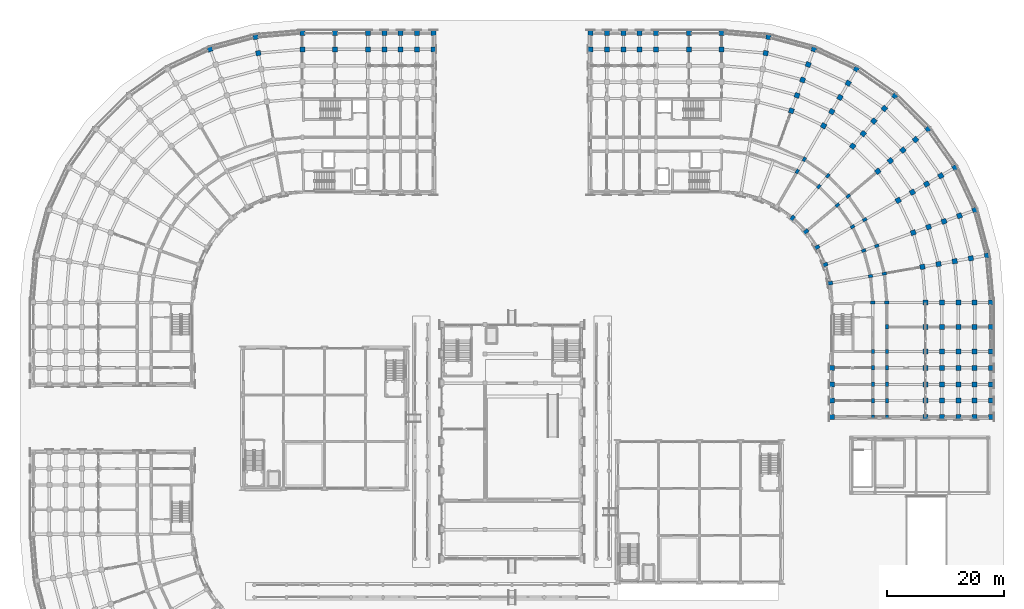
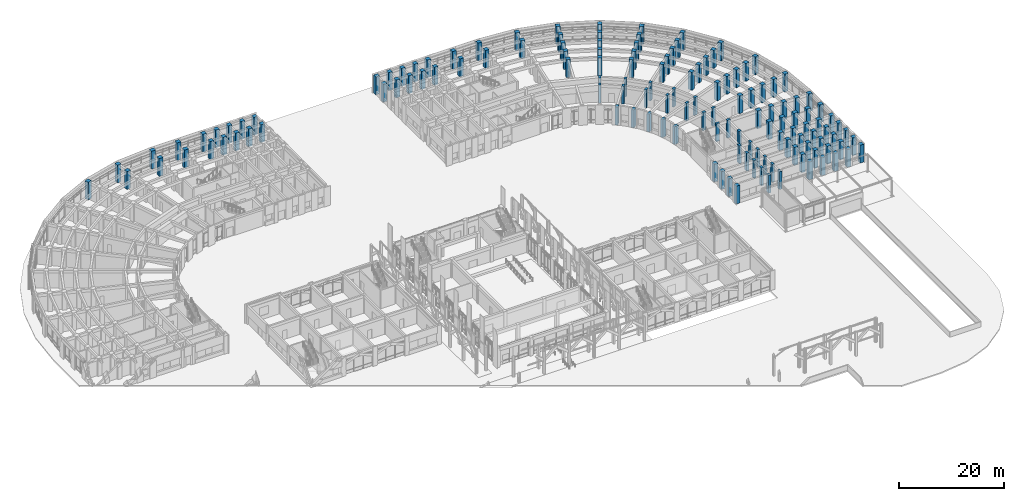
# One storey, part 12 of 135: 137 columns.
"""IFC4 building model written with IfcOpenShell, lengths in metres."""

import ifcopenshell
import ifcopenshell.guid

model = None  # the IFC model being written
_history = None  # IfcOwnerHistory: only IFC2X3 demands one
_inside = {}  # id of a spatial element -> (the spatial element, [elements in it])
_under = {}  # id of a project, library or spatial element -> (it, [spatial elements below it])
_declared = {}  # id of a project -> (the project, [libraries it declares])
_typed = {}  # id of a type object -> (the type object, [elements of that type])
_made_of = {}  # id of a material, layer set ... -> (it, [elements and type objects made of it])


def new_model(schema):
    """Start an empty IFC model of exactly this schema.

    Asked for "IFC4X3", IfcOpenShell would pick the latest addendum, in which some entities
    have other attributes; the version numbers below select the first issue.
    IFC2X3 requires an IfcOwnerHistory on every rooted entity: one is made here for all.
    """
    global model, _history
    if schema == "IFC4X3":
        model = ifcopenshell.file(schema_version=(4, 3, 0, 0))
    else:
        model = ifcopenshell.file(schema=schema)
    _inside.clear()
    _under.clear()
    _declared.clear()
    _typed.clear()
    _made_of.clear()
    _history = None
    if model.schema == "IFC2X3":
        org = make("IfcOrganization", Name="unknown")
        user = make(
            "IfcPersonAndOrganization",
            ThePerson=make("IfcPerson", FamilyName="unknown"),
            TheOrganization=org,
        )
        app = make(
            "IfcApplication",
            ApplicationDeveloper=org,
            Version="unknown",
            ApplicationFullName="unknown",
            ApplicationIdentifier="unknown",
        )
        _history = make(
            "IfcOwnerHistory",
            OwningUser=user,
            OwningApplication=app,
            ChangeAction="ADDED",
            CreationDate=0,
        )
    return model


def make(cls, **values):
    """One entity of the class cls with the attributes given. An attribute that is None is left unset."""
    return model.create_entity(
        cls, **{name: value for name, value in values.items() if value is not None}
    )


def rooted(cls, **values):
    """An entity with a GlobalId (a new one), such as an element, a storey or a relation."""
    return make(cls, GlobalId=ifcopenshell.guid.new(), OwnerHistory=_history, **values)


def si_unit(unit_type, name, prefix=None):
    """IfcSIUnit, for example si_unit("LENGTHUNIT", "METRE", prefix="MILLI")."""
    return make("IfcSIUnit", UnitType=unit_type, Prefix=prefix, Name=name)


def assignment(units):
    """IfcUnitAssignment: the units of a project."""
    return None if units is None else make("IfcUnitAssignment", Units=units)


def point(xyz):
    """IfcCartesianPoint."""
    return None if xyz is None else make("IfcCartesianPoint", Coordinates=xyz)


def direction(xyz):
    """IfcDirection."""
    return None if xyz is None else make("IfcDirection", DirectionRatios=xyz)


def frame(location, z_axis=None, x_axis=None):
    """IfcAxis2Placement3D, a coordinate frame: its origin and axes. An axis left out is left unset."""
    return make(
        "IfcAxis2Placement3D",
        Location=point(location),
        Axis=direction(z_axis),
        RefDirection=direction(x_axis),
    )


def frame_2d(location, x_axis=None):
    """IfcAxis2Placement2D, a coordinate frame in the plane: its origin and x axis."""
    return make(
        "IfcAxis2Placement2D", Location=point(location), RefDirection=direction(x_axis)
    )


def origin():
    """The frame at (0, 0, 0) with its axes left unset."""
    return frame((0.0, 0.0, 0.0))


def origin_2d():
    """The frame at (0, 0) in the plane with its x axis left unset."""
    return frame_2d((0.0, 0.0))


def place(relative_to, where):
    """IfcLocalPlacement: puts the frame where relative to a parent placement (None: the world)."""
    return make(
        "IfcLocalPlacement", PlacementRelTo=relative_to, RelativePlacement=where
    )


def context(
    kind, dimensions, precision=None, world=None, true_north=None, identifier=None
):
    """IfcGeometricRepresentationContext, for example the 3D "Model" context."""
    return make(
        "IfcGeometricRepresentationContext",
        ContextIdentifier=identifier,
        ContextType=kind,
        CoordinateSpaceDimension=dimensions,
        Precision=precision,
        WorldCoordinateSystem=world,
        TrueNorth=true_north,
    )


def subcontext(parent, identifier, kind, view, scale=None):
    """IfcGeometricRepresentationSubContext, for example "Body" below "Model"."""
    return make(
        "IfcGeometricRepresentationSubContext",
        ContextIdentifier=identifier,
        ContextType=kind,
        ParentContext=parent,
        TargetScale=scale,
        TargetView=view,
    )


def project(units=None, contexts=None):
    """IfcProject with its units and contexts."""
    return rooted(
        "IfcProject",
        Name="project",
        RepresentationContexts=contexts,
        UnitsInContext=assignment(units),
    )


def spatial(cls, under=None, at=None, **own):
    """A site, building, storey or space (cls), placed at a placement, below another one or the project."""
    s = rooted(cls, ObjectPlacement=at, **own)
    if under is not None:
        _under.setdefault(under.id(), (under, []))[1].append(s)
    return s


def profile(cls, at=None, kind="AREA", **sizes):
    """A parametric profile (cls). Its sizes go by their IFC names, for example OverallWidth=200.0."""
    return make(cls, ProfileType=kind, Position=at, **sizes)


def rectangle(**sizes):
    """IfcRectangleProfileDef."""
    return profile("IfcRectangleProfileDef", **sizes)


def extrude(swept, where, along, depth):
    """IfcExtrudedAreaSolid: the profile swept, set in the frame where, extruded along a direction by depth."""
    return make(
        "IfcExtrudedAreaSolid",
        SweptArea=swept,
        Position=where,
        ExtrudedDirection=direction(along),
        Depth=depth,
    )


def shape(context_of_items, identifier, shape_type, items):
    """IfcShapeRepresentation: the items that make up one representation, for example the "Body"."""
    return make(
        "IfcShapeRepresentation",
        ContextOfItems=context_of_items,
        RepresentationIdentifier=identifier,
        RepresentationType=shape_type,
        Items=items,
    )


def material(Name=None, Category=None):
    """IfcMaterial."""
    return make("IfcMaterial", Name=Name, Category=Category)


def material_profile(
    of_material, cross_section, Name=None, Category=None, Priority=None
):
    """IfcMaterialProfile: a cross section and its material."""
    return make(
        "IfcMaterialProfile",
        Name=Name,
        Material=of_material,
        Profile=cross_section,
        Priority=Priority,
        Category=Category,
    )


def profile_set(profiles, Name=None, composite=None):
    """IfcMaterialProfileSet."""
    return make(
        "IfcMaterialProfileSet",
        Name=Name,
        MaterialProfiles=profiles,
        CompositeProfile=composite,
    )


def made_of(thing, what):
    """Note that an element or type object is made of a material, layer set ...; save() writes the relation."""
    if what is not None:
        _made_of.setdefault(what.id(), (what, []))[1].append(thing)
    return thing


def type_object(cls, material=None, **own):
    """A type object (cls), such as IfcWallType, which elements share."""
    return made_of(rooted(cls, **own), material)


def element(
    cls,
    number,
    at=None,
    inside=None,
    cuts=None,
    type_object=None,
    material=None,
    context=None,
    identifier="Body",
    shape_type=None,
    held_by="IfcProductDefinitionShape",
    body=None,
    shapes=None,
    **own,
):
    """One element of the class cls, such as IfcWall. Its Tag is "e" and its number.

    at: its placement. inside: the storey or other place that contains it. cuts: it is an
    opening in that element (IfcRelVoidsElement). A single representation is given by context,
    identifier, shape_type and body (its items); several are given by shapes. held_by: the class
    of the entity that holds the representations. save() writes the other relations.
    """
    e = rooted(cls, Tag="e%d" % number, ObjectPlacement=at, **own)
    if body is not None:
        shapes = [shape(context, identifier, shape_type, body)]
    if shapes is not None:
        e.Representation = make(held_by, Representations=shapes)
    if inside is not None:
        _inside.setdefault(inside.id(), (inside, []))[1].append(e)
    if cuts is not None:
        rooted(
            "IfcRelVoidsElement", RelatingBuildingElement=cuts, RelatedOpeningElement=e
        )
    if type_object is not None:
        _typed.setdefault(type_object.id(), (type_object, []))[1].append(e)
    return made_of(e, material)


def aggregate(whole, parts):
    """IfcRelAggregates: a whole, such as a stair, and the parts it consists of."""
    return rooted("IfcRelAggregates", RelatingObject=whole, RelatedObjects=parts)


def save(model, path):
    """Write the relations noted so far, then the file.

    IfcRelAggregates (storeys below a building ...), IfcRelContainedInSpatialStructure (elements
    in a storey), IfcRelDefinesByType, IfcRelAssociatesMaterial and IfcRelDeclares: one each for
    every whole, place, type object, material and project.
    """
    for whole, parts in _under.values():
        aggregate(whole, parts)
    for where, things in _inside.values():
        rooted(
            "IfcRelContainedInSpatialStructure",
            RelatedElements=things,
            RelatingStructure=where,
        )
    for kind, things in _typed.values():
        rooted("IfcRelDefinesByType", RelatedObjects=things, RelatingType=kind)
    for what, things in _made_of.values():
        rooted("IfcRelAssociatesMaterial", RelatedObjects=things, RelatingMaterial=what)
    for by, libraries in _declared.values():
        rooted("IfcRelDeclares", RelatingContext=by, RelatedDefinitions=libraries)
    model.write(path)


model = new_model("IFC4")

# Units and contexts
model_context = context("Model", 3, precision=1e-05, world=origin(), true_north=direction((0.0, 1.0)))
body_context = subcontext(model_context, "Body", "Model", "MODEL_VIEW")
ifc_project = project(units=[si_unit("LENGTHUNIT", "METRE"), si_unit("AREAUNIT", "SQUARE_METRE"), si_unit("VOLUMEUNIT", "CUBIC_METRE"), si_unit("PLANEANGLEUNIT", "RADIAN"), si_unit("MASSUNIT", "GRAM", prefix="KILO")], contexts=[model_context])

# Site, building, storey
site_placement = place(None, origin())
site = spatial("IfcSite", under=ifc_project, at=site_placement, CompositionType="ELEMENT")
building_placement = place(site_placement, origin())
building = spatial("IfcBuilding", under=site, at=building_placement, Name="Kiranvali Square Residences", CompositionType="ELEMENT")
storey_placement = place(building_placement, origin())
storey = spatial("IfcBuildingStorey", under=building, at=storey_placement, Name="L00", CompositionType="ELEMENT", Elevation=0.0)

# Columns
ifc_material_1 = material(Name="Concrete M45 (45 MPa)", Category="concrete")
ifc_material_profile_1 = material_profile(ifc_material_1, rectangle(XDim=0.5, YDim=0.75, at=origin_2d()), Name="RC 750x500")
ifc_profile_set_1 = profile_set([ifc_material_profile_1], Name="Concrete M45 (45 MPa)")
column_type_1 = type_object("IfcColumnType", Name="COL-M45-750x500", PredefinedType="COLUMN", material=ifc_profile_set_1)
for number, where, z_axis, x_axis, name in (
    (1, (132.699951171875, 110.1435546875, 0.0), (0.0, 0.0, 1.0), (-0.866025403784, 0.5, 0.0), "Block B L00 radial column A03-R1"),
    (2, (133.89990234375, 112.221923828125, 0.0), (0.0, 0.0, 1.0), (-0.866025403784, 0.5, 0.0), "Block B L00 radial column A03-R2"),
    (3, (136.384033203125, 107.56396484375, 0.0), (0.0, 0.0, 1.0), (-0.766044443119, 0.642787609687, 0.0), "Block B L00 radial column A04-R1"),
    (4, (137.926513671875, 109.40234375, 0.0), (0.0, 0.0, 1.0), (-0.766044443119, 0.642787609687, 0.0), "Block B L00 radial column A04-R2"),
    (5, (139.56396484375, 104.384033203125, 0.0), (0.0, 0.0, 1.0), (-0.642787609687, 0.766044443119, 0.0), "Block B L00 radial column A05-R1"),
    (6, (141.40234375, 105.926513671875, 0.0), (0.0, 0.0, 1.0), (-0.642787609687, 0.766044443119, 0.0), "Block B L00 radial column A05-R2"),
    (7, (142.1435546875, 100.699951171875, 0.0), (0.0, 0.0, 1.0), (-0.5, 0.866025403784, 0.0), "Block B L00 radial column A06-R1"),
    (8, (144.221923828125, 101.89990234375, 0.0), (0.0, 0.0, 1.0), (-0.5, 0.866025403784, 0.0), "Block B L00 radial column A06-R2"),
    (9, (144.044189453125, 96.6240234375, 0.0), (0.0, 0.0, 1.0), (-0.342020143326, 0.939692620786, 0.0), "Block B L00 radial column A07-R1"),
    (10, (146.29931640625, 97.445068359375, 0.0), (0.0, 0.0, 1.0), (-0.342020143326, 0.939692620786, 0.0), "Block B L00 radial column A07-R2"),
    (11, (145.2080078125, 92.280029296875, 0.0), (0.0, 0.0, 1.0), (-0.173648177667, 0.984807753012, 0.0), "Block B L00 radial column A08-R1"),
    (12, (147.571533203125, 92.69677734375, 0.0), (0.0, 0.0, 1.0), (-0.173648177667, 0.984807753012, 0.0), "Block B L00 radial column A08-R2"),
    (13, (145.60009765625, 87.800048828125, 0.0), (0.0, 0.0, 1.0), (0.0, 1.0, 0.0), "Block B L00 radial column A09-R1"),
    (14, (148.0, 87.800048828125, 0.0), (0.0, 0.0, 1.0), (0.0, 1.0, 0.0), "Block B L00 radial column A09-R2"),
    (15, (148.0, 83.60009765625, 0.0), (0.0, 0.0, 1.0), (1.0, 0.0, 0.0), "Block B L00 Arm 2 mid-core column V0-R2"),
    (16, (145.60009765625, 79.39990234375, 0.0), (0.0, 0.0, 1.0), (1.0, 0.0, 0.0), "Block B L00 Arm 2 column V1-R1"),
    (17, (148.0, 79.39990234375, 0.0), (0.0, 0.0, 1.0), (1.0, 0.0, 0.0), "Block B L00 Arm 2 column V1-R2"),
    (18, (145.60009765625, 76.60009765625, 0.0), (0.0, 0.0, 1.0), (1.0, 0.0, 0.0), "Block B L00 Arm 2 column V2-R1"),
    (19, (148.0, 76.60009765625, 0.0), (0.0, 0.0, 1.0), (1.0, 0.0, 0.0), "Block B L00 Arm 2 column V2-R2"),
    (20, (145.60009765625, 73.800048828125, 0.0), (0.0, 0.0, 1.0), (1.0, 0.0, 0.0), "Block B L00 Arm 2 column V3-R1"),
    (21, (148.0, 73.800048828125, 0.0), (0.0, 0.0, 1.0), (1.0, 0.0, 0.0), "Block B L00 Arm 2 column V3-R2"),
    (22, (145.60009765625, 71.0, 0.0), (0.0, 0.0, 1.0), (1.0, 0.0, 0.0), "Block B L00 Arm 2 column V4-R1"),
    (23, (148.0, 71.0, 0.0), (0.0, 0.0, 1.0), (1.0, 0.0, 0.0), "Block B L00 Arm 2 column V4-R2"),
    (24, (145.60009765625, 68.199951171875, 0.0), (0.0, 0.0, 1.0), (1.0, 0.0, 0.0), "Block B L00 Arm 2 column V5-R1"),
    (25, (148.0, 68.199951171875, 0.0), (0.0, 0.0, 1.0), (1.0, 0.0, 0.0), "Block B L00 Arm 2 column V5-R2"),
):
    element("IfcColumn", number, at=place(storey_placement, frame(where, z_axis=z_axis, x_axis=x_axis)), inside=storey, type_object=column_type_1, Name=name, PredefinedType="COLUMN", context=body_context, shape_type="SweptSolid", body=[
        extrude(rectangle(XDim=0.5, YDim=0.75, at=origin_2d()), origin(), (0.0, 0.0, 1.0), 4.14990234375),
    ])
ifc_material_2 = material(Name="Concrete M50 (50 MPa)", Category="concrete")
ifc_material_profile_2 = material_profile(ifc_material_2, rectangle(XDim=0.85009765625, YDim=0.85009765625, at=origin_2d()), Name="RC 850x850")
ifc_profile_set_2 = profile_set([ifc_material_profile_2], Name="Concrete M50 (50 MPa)")
column_type_2 = type_object("IfcColumnType", Name="COL-M50-850", PredefinedType="COLUMN", material=ifc_profile_set_2)
for number, where, z_axis, x_axis, name in (
    (26, (48.199951171875, 131.0, 0.0), (0.0, 0.0, 1.0), (1.0, 0.0, 0.0), "Block A L00 radial column A00-R6"),
    (27, (48.199951171875, 133.800048828125, 0.0), (0.0, 0.0, 1.0), (1.0, 0.0, 0.0), "Block A L00 radial column A00-R7"),
    (28, (40.698486328125, 130.34375, 0.0), (0.0, 0.0, 1.0), (0.984807753012, 0.173648177667, 0.0), "Block A L00 radial column A01-R6"),
    (29, (40.212158203125, 133.10107421875, 0.0), (0.0, 0.0, 1.0), (0.984807753012, 0.173648177667, 0.0), "Block A L00 radial column A01-R7"),
    (30, (32.467041015625, 131.02587890625, 0.0), (0.0, 0.0, 1.0), (0.939692620786, 0.342020143326, 0.0), "Block A L00 radial column A02-R7"),
    (31, (53.800048828125, 131.0, 0.0), (0.0, 0.0, 1.0), (1.0, 0.0, 0.0), "Block A L00 core-front column U0-R6"),
    (32, (53.800048828125, 133.800048828125, 0.0), (0.0, 0.0, 1.0), (1.0, 0.0, 0.0), "Block A L00 core-front column U0-R7"),
    (33, (59.39990234375, 131.0, 0.0), (0.0, 0.0, 1.0), (1.0, 0.0, 0.0), "Block A L00 Arm 1 column U1-R6"),
    (34, (59.39990234375, 133.800048828125, 0.0), (0.0, 0.0, 1.0), (1.0, 0.0, 0.0), "Block A L00 Arm 1 column U1-R7"),
    (35, (62.199951171875, 131.0, 0.0), (0.0, 0.0, 1.0), (1.0, 0.0, 0.0), "Block A L00 Arm 1 column U2-R6"),
    (36, (62.199951171875, 133.800048828125, 0.0), (0.0, 0.0, 1.0), (1.0, 0.0, 0.0), "Block A L00 Arm 1 column U2-R7"),
    (37, (65.0, 131.0, 0.0), (0.0, 0.0, 1.0), (1.0, 0.0, 0.0), "Block A L00 Arm 1 column U3-R6"),
    (38, (65.0, 133.800048828125, 0.0), (0.0, 0.0, 1.0), (1.0, 0.0, 0.0), "Block A L00 Arm 1 column U3-R7"),
    (39, (67.800048828125, 131.0, 0.0), (0.0, 0.0, 1.0), (1.0, 0.0, 0.0), "Block A L00 Arm 1 column U4-R6"),
    (40, (67.800048828125, 133.800048828125, 0.0), (0.0, 0.0, 1.0), (1.0, 0.0, 0.0), "Block A L00 Arm 1 column U4-R7"),
    (41, (70.60009765625, 131.0, 0.0), (0.0, 0.0, 1.0), (1.0, 0.0, 0.0), "Block A L00 Arm 1 column U5-R6"),
    (42, (70.60009765625, 133.800048828125, 0.0), (0.0, 0.0, 1.0), (1.0, 0.0, 0.0), "Block A L00 Arm 1 column U5-R7"),
    (43, (119.800048828125, 131.0, 0.0), (0.0, 0.0, 1.0), (1.0, 0.0, 0.0), "Block B L00 radial column A00-R6"),
    (44, (119.800048828125, 133.800048828125, 0.0), (0.0, 0.0, 1.0), (1.0, 0.0, 0.0), "Block B L00 radial column A00-R7"),
    (45, (127.301513671875, 130.34375, 0.0), (0.0, 0.0, 1.0), (-0.984807753012, 0.173648177667, 0.0), "Block B L00 radial column A01-R6"),
    (46, (127.787841796875, 133.10107421875, 0.0), (0.0, 0.0, 1.0), (-0.984807753012, 0.173648177667, 0.0), "Block B L00 radial column A01-R7"),
    (47, (131.702392578125, 120.501220703125, 0.0), (0.0, 0.0, 1.0), (-0.939692620786, 0.342020143326, 0.0), "Block B L00 radial column A02-R3"),
    (48, (132.659912109375, 123.13232421875, 0.0), (0.0, 0.0, 1.0), (-0.939692620786, 0.342020143326, 0.0), "Block B L00 radial column A02-R4"),
    (49, (133.61767578125, 125.763671875, 0.0), (0.0, 0.0, 1.0), (-0.939692620786, 0.342020143326, 0.0), "Block B L00 radial column A02-R5"),
    (50, (134.5751953125, 128.394775390625, 0.0), (0.0, 0.0, 1.0), (-0.939692620786, 0.342020143326, 0.0), "Block B L00 radial column A02-R6"),
    (51, (135.532958984375, 131.02587890625, 0.0), (0.0, 0.0, 1.0), (-0.939692620786, 0.342020143326, 0.0), "Block B L00 radial column A02-R7"),
    (52, (137.199951171875, 117.937744140625, 0.0), (0.0, 0.0, 1.0), (-0.866025403784, 0.5, 0.0), "Block B L00 radial column A03-R3"),
    (53, (138.60009765625, 120.362548828125, 0.0), (0.0, 0.0, 1.0), (-0.866025403784, 0.5, 0.0), "Block B L00 radial column A03-R4"),
    (54, (140.0, 122.787353515625, 0.0), (0.0, 0.0, 1.0), (-0.866025403784, 0.5, 0.0), "Block B L00 radial column A03-R5"),
    (55, (141.39990234375, 125.21240234375, 0.0), (0.0, 0.0, 1.0), (-0.866025403784, 0.5, 0.0), "Block B L00 radial column A03-R6"),
    (56, (142.800048828125, 127.63720703125, 0.0), (0.0, 0.0, 1.0), (-0.866025403784, 0.5, 0.0), "Block B L00 radial column A03-R7"),
    (57, (142.1689453125, 114.458251953125, 0.0), (0.0, 0.0, 1.0), (-0.766044443119, 0.642787609687, 0.0), "Block B L00 radial column A04-R3"),
    (58, (143.96875, 116.603271484375, 0.0), (0.0, 0.0, 1.0), (-0.766044443119, 0.642787609687, 0.0), "Block B L00 radial column A04-R4"),
    (59, (145.7685546875, 118.748291015625, 0.0), (0.0, 0.0, 1.0), (-0.766044443119, 0.642787609687, 0.0), "Block B L00 radial column A04-R5"),
    (60, (147.568359375, 120.89306640625, 0.0), (0.0, 0.0, 1.0), (-0.766044443119, 0.642787609687, 0.0), "Block B L00 radial column A04-R6"),
    (61, (149.3681640625, 123.0380859375, 0.0), (0.0, 0.0, 1.0), (-0.766044443119, 0.642787609687, 0.0), "Block B L00 radial column A04-R7"),
    (62, (146.458251953125, 110.1689453125, 0.0), (0.0, 0.0, 1.0), (-0.642787609687, 0.766044443119, 0.0), "Block B L00 radial column A05-R3"),
    (63, (148.603271484375, 111.96875, 0.0), (0.0, 0.0, 1.0), (-0.642787609687, 0.766044443119, 0.0), "Block B L00 radial column A05-R4"),
    (64, (150.748291015625, 113.7685546875, 0.0), (0.0, 0.0, 1.0), (-0.642787609687, 0.766044443119, 0.0), "Block B L00 radial column A05-R5"),
    (65, (152.89306640625, 115.568359375, 0.0), (0.0, 0.0, 1.0), (-0.642787609687, 0.766044443119, 0.0), "Block B L00 radial column A05-R6"),
    (66, (155.0380859375, 117.3681640625, 0.0), (0.0, 0.0, 1.0), (-0.642787609687, 0.766044443119, 0.0), "Block B L00 radial column A05-R7"),
    (67, (149.937744140625, 105.199951171875, 0.0), (0.0, 0.0, 1.0), (-0.5, 0.866025403784, 0.0), "Block B L00 radial column A06-R3"),
    (68, (152.362548828125, 106.60009765625, 0.0), (0.0, 0.0, 1.0), (-0.5, 0.866025403784, 0.0), "Block B L00 radial column A06-R4"),
    (69, (154.787353515625, 108.0, 0.0), (0.0, 0.0, 1.0), (-0.5, 0.866025403784, 0.0), "Block B L00 radial column A06-R5"),
    (70, (157.21240234375, 109.39990234375, 0.0), (0.0, 0.0, 1.0), (-0.5, 0.866025403784, 0.0), "Block B L00 radial column A06-R6"),
    (71, (159.63720703125, 110.800048828125, 0.0), (0.0, 0.0, 1.0), (-0.5, 0.866025403784, 0.0), "Block B L00 radial column A06-R7"),
    (72, (152.501220703125, 99.702392578125, 0.0), (0.0, 0.0, 1.0), (-0.342020143326, 0.939692620786, 0.0), "Block B L00 radial column A07-R3"),
    (73, (155.13232421875, 100.659912109375, 0.0), (0.0, 0.0, 1.0), (-0.342020143326, 0.939692620786, 0.0), "Block B L00 radial column A07-R4"),
    (74, (157.763671875, 101.61767578125, 0.0), (0.0, 0.0, 1.0), (-0.342020143326, 0.939692620786, 0.0), "Block B L00 radial column A07-R5"),
    (75, (160.394775390625, 102.5751953125, 0.0), (0.0, 0.0, 1.0), (-0.342020143326, 0.939692620786, 0.0), "Block B L00 radial column A07-R6"),
    (76, (163.02587890625, 103.532958984375, 0.0), (0.0, 0.0, 1.0), (-0.342020143326, 0.939692620786, 0.0), "Block B L00 radial column A07-R7"),
    (77, (154.0712890625, 93.843017578125, 0.0), (0.0, 0.0, 1.0), (-0.173648177667, 0.984807753012, 0.0), "Block B L00 radial column A08-R3"),
    (78, (156.828857421875, 94.3291015625, 0.0), (0.0, 0.0, 1.0), (-0.173648177667, 0.984807753012, 0.0), "Block B L00 radial column A08-R4"),
    (79, (159.586181640625, 94.8154296875, 0.0), (0.0, 0.0, 1.0), (-0.173648177667, 0.984807753012, 0.0), "Block B L00 radial column A08-R5"),
    (80, (162.34375, 95.301513671875, 0.0), (0.0, 0.0, 1.0), (-0.173648177667, 0.984807753012, 0.0), "Block B L00 radial column A08-R6"),
    (81, (165.10107421875, 95.787841796875, 0.0), (0.0, 0.0, 1.0), (-0.173648177667, 0.984807753012, 0.0), "Block B L00 radial column A08-R7"),
    (82, (154.60009765625, 87.800048828125, 0.0), (0.0, 0.0, 1.0), (0.0, 1.0, 0.0), "Block B L00 radial column A09-R3"),
    (83, (157.39990234375, 87.800048828125, 0.0), (0.0, 0.0, 1.0), (0.0, 1.0, 0.0), "Block B L00 radial column A09-R4"),
    (84, (160.199951171875, 87.800048828125, 0.0), (0.0, 0.0, 1.0), (0.0, 1.0, 0.0), "Block B L00 radial column A09-R5"),
    (85, (163.0, 87.800048828125, 0.0), (0.0, 0.0, 1.0), (0.0, 1.0, 0.0), "Block B L00 radial column A09-R6"),
    (86, (165.800048828125, 87.800048828125, 0.0), (0.0, 0.0, 1.0), (0.0, 1.0, 0.0), "Block B L00 radial column A09-R7"),
    (87, (114.199951171875, 131.0, 0.0), (0.0, 0.0, 1.0), (1.0, 0.0, 0.0), "Block B L00 core-front column U0-R6"),
    (88, (114.199951171875, 133.800048828125, 0.0), (0.0, 0.0, 1.0), (1.0, 0.0, 0.0), "Block B L00 core-front column U0-R7"),
    (89, (108.60009765625, 131.0, 0.0), (0.0, 0.0, 1.0), (1.0, 0.0, 0.0), "Block B L00 Arm 1 column U1-R6"),
    (90, (108.60009765625, 133.800048828125, 0.0), (0.0, 0.0, 1.0), (1.0, 0.0, 0.0), "Block B L00 Arm 1 column U1-R7"),
    (91, (105.800048828125, 131.0, 0.0), (0.0, 0.0, 1.0), (1.0, 0.0, 0.0), "Block B L00 Arm 1 column U2-R6"),
    (92, (105.800048828125, 133.800048828125, 0.0), (0.0, 0.0, 1.0), (1.0, 0.0, 0.0), "Block B L00 Arm 1 column U2-R7"),
    (93, (103.0, 131.0, 0.0), (0.0, 0.0, 1.0), (1.0, 0.0, 0.0), "Block B L00 Arm 1 column U3-R6"),
    (94, (103.0, 133.800048828125, 0.0), (0.0, 0.0, 1.0), (1.0, 0.0, 0.0), "Block B L00 Arm 1 column U3-R7"),
    (95, (100.199951171875, 131.0, 0.0), (0.0, 0.0, 1.0), (1.0, 0.0, 0.0), "Block B L00 Arm 1 column U4-R6"),
    (96, (100.199951171875, 133.800048828125, 0.0), (0.0, 0.0, 1.0), (1.0, 0.0, 0.0), "Block B L00 Arm 1 column U4-R7"),
    (97, (97.39990234375, 131.0, 0.0), (0.0, 0.0, 1.0), (1.0, 0.0, 0.0), "Block B L00 Arm 1 column U5-R6"),
    (98, (97.39990234375, 133.800048828125, 0.0), (0.0, 0.0, 1.0), (1.0, 0.0, 0.0), "Block B L00 Arm 1 column U5-R7"),
    (99, (154.60009765625, 83.60009765625, 0.0), (0.0, 0.0, 1.0), (1.0, 0.0, 0.0), "Block B L00 Arm 2 mid-core column V0-R3"),
    (100, (157.39990234375, 83.60009765625, 0.0), (0.0, 0.0, 1.0), (1.0, 0.0, 0.0), "Block B L00 Arm 2 mid-core column V0-R4"),
    (101, (160.199951171875, 83.60009765625, 0.0), (0.0, 0.0, 1.0), (1.0, 0.0, 0.0), "Block B L00 Arm 2 mid-core column V0-R5"),
    (102, (163.0, 83.60009765625, 0.0), (0.0, 0.0, 1.0), (1.0, 0.0, 0.0), "Block B L00 Arm 2 mid-core column V0-R6"),
    (103, (165.800048828125, 83.60009765625, 0.0), (0.0, 0.0, 1.0), (1.0, 0.0, 0.0), "Block B L00 Arm 2 mid-core column V0-R7"),
    (104, (154.60009765625, 79.39990234375, 0.0), (0.0, 0.0, 1.0), (1.0, 0.0, 0.0), "Block B L00 Arm 2 column V1-R3"),
    (105, (157.39990234375, 79.39990234375, 0.0), (0.0, 0.0, 1.0), (1.0, 0.0, 0.0), "Block B L00 Arm 2 column V1-R4"),
    (106, (160.199951171875, 79.39990234375, 0.0), (0.0, 0.0, 1.0), (1.0, 0.0, 0.0), "Block B L00 Arm 2 column V1-R5"),
    (107, (163.0, 79.39990234375, 0.0), (0.0, 0.0, 1.0), (1.0, 0.0, 0.0), "Block B L00 Arm 2 column V1-R6"),
    (108, (165.800048828125, 79.39990234375, 0.0), (0.0, 0.0, 1.0), (1.0, 0.0, 0.0), "Block B L00 Arm 2 column V1-R7"),
    (109, (138.60009765625, 76.60009765625, 0.0), (0.0, 0.0, 1.0), (1.0, 0.0, 0.0), "Block B L00 Arm 2 column V2-R0"),
    (110, (154.60009765625, 76.60009765625, 0.0), (0.0, 0.0, 1.0), (1.0, 0.0, 0.0), "Block B L00 Arm 2 column V2-R3"),
    (111, (157.39990234375, 76.60009765625, 0.0), (0.0, 0.0, 1.0), (1.0, 0.0, 0.0), "Block B L00 Arm 2 column V2-R4"),
    (112, (160.199951171875, 76.60009765625, 0.0), (0.0, 0.0, 1.0), (1.0, 0.0, 0.0), "Block B L00 Arm 2 column V2-R5"),
    (113, (163.0, 76.60009765625, 0.0), (0.0, 0.0, 1.0), (1.0, 0.0, 0.0), "Block B L00 Arm 2 column V2-R6"),
    (114, (165.800048828125, 76.60009765625, 0.0), (0.0, 0.0, 1.0), (1.0, 0.0, 0.0), "Block B L00 Arm 2 column V2-R7"),
    (115, (138.60009765625, 73.800048828125, 0.0), (0.0, 0.0, 1.0), (1.0, 0.0, 0.0), "Block B L00 Arm 2 column V3-R0"),
    (116, (154.60009765625, 73.800048828125, 0.0), (0.0, 0.0, 1.0), (1.0, 0.0, 0.0), "Block B L00 Arm 2 column V3-R3"),
    (117, (157.39990234375, 73.800048828125, 0.0), (0.0, 0.0, 1.0), (1.0, 0.0, 0.0), "Block B L00 Arm 2 column V3-R4"),
    (118, (160.199951171875, 73.800048828125, 0.0), (0.0, 0.0, 1.0), (1.0, 0.0, 0.0), "Block B L00 Arm 2 column V3-R5"),
    (119, (163.0, 73.800048828125, 0.0), (0.0, 0.0, 1.0), (1.0, 0.0, 0.0), "Block B L00 Arm 2 column V3-R6"),
    (120, (165.800048828125, 73.800048828125, 0.0), (0.0, 0.0, 1.0), (1.0, 0.0, 0.0), "Block B L00 Arm 2 column V3-R7"),
    (121, (138.60009765625, 71.0, 0.0), (0.0, 0.0, 1.0), (1.0, 0.0, 0.0), "Block B L00 Arm 2 column V4-R0"),
    (122, (154.60009765625, 71.0, 0.0), (0.0, 0.0, 1.0), (1.0, 0.0, 0.0), "Block B L00 Arm 2 column V4-R3"),
    (123, (157.39990234375, 71.0, 0.0), (0.0, 0.0, 1.0), (1.0, 0.0, 0.0), "Block B L00 Arm 2 column V4-R4"),
    (124, (160.199951171875, 71.0, 0.0), (0.0, 0.0, 1.0), (1.0, 0.0, 0.0), "Block B L00 Arm 2 column V4-R5"),
    (125, (163.0, 71.0, 0.0), (0.0, 0.0, 1.0), (1.0, 0.0, 0.0), "Block B L00 Arm 2 column V4-R6"),
    (126, (165.800048828125, 71.0, 0.0), (0.0, 0.0, 1.0), (1.0, 0.0, 0.0), "Block B L00 Arm 2 column V4-R7"),
    (127, (138.60009765625, 68.199951171875, 0.0), (0.0, 0.0, 1.0), (1.0, 0.0, 0.0), "Block B L00 Arm 2 column V5-R0"),
    (128, (154.60009765625, 68.199951171875, 0.0), (0.0, 0.0, 1.0), (1.0, 0.0, 0.0), "Block B L00 Arm 2 column V5-R3"),
    (129, (157.39990234375, 68.199951171875, 0.0), (0.0, 0.0, 1.0), (1.0, 0.0, 0.0), "Block B L00 Arm 2 column V5-R4"),
    (130, (160.199951171875, 68.199951171875, 0.0), (0.0, 0.0, 1.0), (1.0, 0.0, 0.0), "Block B L00 Arm 2 column V5-R5"),
    (131, (163.0, 68.199951171875, 0.0), (0.0, 0.0, 1.0), (1.0, 0.0, 0.0), "Block B L00 Arm 2 column V5-R6"),
    (132, (165.800048828125, 68.199951171875, 0.0), (0.0, 0.0, 1.0), (1.0, 0.0, 0.0), "Block B L00 Arm 2 column V5-R7"),
):
    element("IfcColumn", number, at=place(storey_placement, frame(where, z_axis=z_axis, x_axis=x_axis)), inside=storey, type_object=column_type_2, Name=name, PredefinedType="COLUMN", context=body_context, shape_type="SweptSolid", body=[
        extrude(rectangle(XDim=0.85009765625, YDim=0.85009765625, at=origin_2d()), origin(), (0.0, 0.0, 1.0), 4.14990234375),
    ])
ifc_material_profile_3 = material_profile(ifc_material_2, rectangle(XDim=0.60009765625, YDim=0.89990234375, at=origin_2d()), Name="RC 900x600")
ifc_profile_set_3 = profile_set([ifc_material_profile_3], Name="Concrete M50 (50 MPa)")
column_type_3 = type_object("IfcColumnType", Name="COL-M50-900x600", PredefinedType="COLUMN", material=ifc_profile_set_3)
for number, where, z_axis, x_axis, name in (
    (133, (131.884521484375, 102.20166015625, 0.0), (0.0, 0.0, 1.0), (-0.766044443119, 0.642787609687, 0.0), "Block B L00 radial column A04-R0"),
    (134, (134.20166015625, 99.884521484375, 0.0), (0.0, 0.0, 1.0), (-0.642787609687, 0.766044443119, 0.0), "Block B L00 radial column A05-R0"),
    (135, (136.081298828125, 97.199951171875, 0.0), (0.0, 0.0, 1.0), (-0.5, 0.866025403784, 0.0), "Block B L00 radial column A06-R0"),
    (136, (137.46630859375, 94.22998046875, 0.0), (0.0, 0.0, 1.0), (-0.342020143326, 0.939692620786, 0.0), "Block B L00 radial column A07-R0"),
    (137, (138.314453125, 91.064697265625, 0.0), (0.0, 0.0, 1.0), (-0.173648177667, 0.984807753012, 0.0), "Block B L00 radial column A08-R0"),
):
    element("IfcColumn", number, at=place(storey_placement, frame(where, z_axis=z_axis, x_axis=x_axis)), inside=storey, type_object=column_type_3, Name=name, PredefinedType="COLUMN", context=body_context, shape_type="SweptSolid", body=[
        extrude(rectangle(XDim=0.60009765625, YDim=0.89990234375, at=origin_2d()), origin(), (0.0, 0.0, 1.0), 4.14990234375),
    ])

save(model, "model.ifc")
